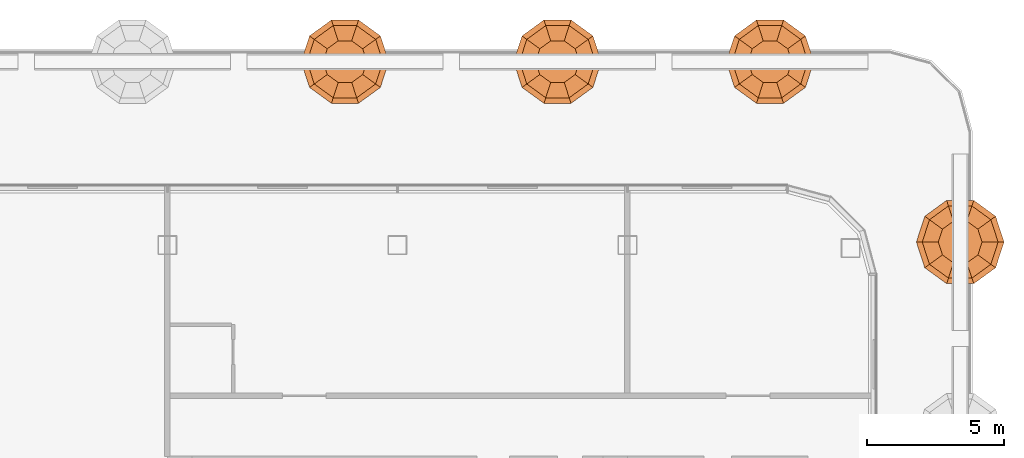
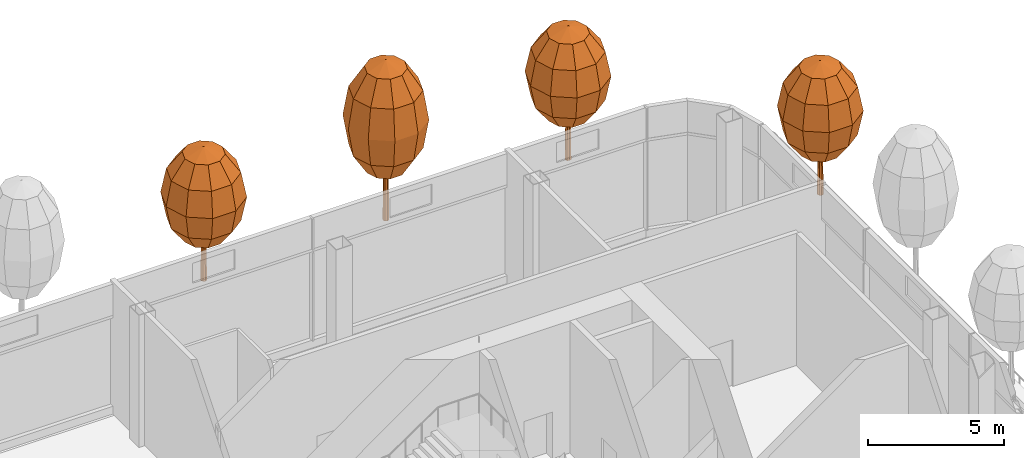
# One storey, part 43 of 43: 4 geographic elements.
"""IFC4 building model written with IfcOpenShell, lengths in metres."""

from ifc_helpers import new_model, si_unit, direction, frame, origin, place, context, subcontext, project, spatial, triangles, material, type_object, element, save


model = new_model("IFC4")

# Units and contexts
model_context = context("Model", 3, precision=1e-05, world=origin(), true_north=direction((0.0, 1.0)))
body_context = subcontext(model_context, "Body", "Model", "MODEL_VIEW")
ifc_project = project(units=[si_unit("LENGTHUNIT", "METRE"), si_unit("AREAUNIT", "SQUARE_METRE"), si_unit("VOLUMEUNIT", "CUBIC_METRE"), si_unit("PLANEANGLEUNIT", "RADIAN"), si_unit("MASSUNIT", "GRAM", prefix="KILO")], contexts=[model_context])

# Site, building, storey
site_placement = place(None, origin())
site = spatial("IfcSite", under=ifc_project, at=site_placement, CompositionType="ELEMENT")
building_placement = place(site_placement, origin())
building = spatial("IfcBuilding", under=site, at=building_placement, Name="Hakoniwa Tower and Hamabe Station Hall", CompositionType="ELEMENT")
storey_placement = place(building_placement, frame((0.0, 0.0, 124.60009765625)))
storey = spatial("IfcBuildingStorey", under=building, at=storey_placement, Name="L35", CompositionType="ELEMENT", Elevation=124.60009765625)

# Geographic elements
ifc_material_1 = material(Name="Tree foliage")
geographic_element_type_1 = type_object("IfcGeographicElementType", Name="Japanese maple 7.2 m", PredefinedType="USERDEFINED", material=ifc_material_1)
geographic_element_1_placement = place(storey_placement, frame((31.044921875, 22.801025390625, 0.89990234375)))
element("IfcGeographicElement", 1, at=geographic_element_1_placement, inside=storey, type_object=geographic_element_type_1, Name="Japanese maple 7-2 m", ObjectType="TREE", PredefinedType="USERDEFINED", context=body_context, shape_type="Tessellation", body=[
    triangles([(0.125, 0.0, 0.0), (0.08837890625, 0.08837890625, 0.0), (0.0, 0.125, 0.0), (-0.08837890625, 0.08837890625, 0.0), (-0.125, 0.0, 0.0), (-0.08837890625, -0.08837890625, 0.0), (0.0, -0.125, 0.0), (0.08837890625, -0.08837890625, 0.0), (0.074951171875, 0.0, 4.348876953125), (0.052978515625, 0.052978515625, 4.348876953125), (0.0, 0.074951171875, 4.348876953125), (-0.052978515625, 0.052978515625, 4.348876953125), (-0.074951171875, 0.0, 4.348876953125), (-0.052978515625, -0.052978515625, 4.348876953125), (0.0, -0.074951171875, 4.348876953125), (0.052978515625, -0.052978515625, 4.348876953125), (0.0, 0.0, 0.0), (0.0, 0.0, 4.348876953125)], [[1, 2, 10], [1, 10, 9], [17, 2, 1], [18, 9, 10], [2, 3, 11], [2, 11, 10], [17, 3, 2], [18, 10, 11], [3, 4, 12], [3, 12, 11], [17, 4, 3], [18, 11, 12], [4, 5, 13], [4, 13, 12], [17, 5, 4], [18, 12, 13], [5, 6, 14], [5, 14, 13], [17, 6, 5], [18, 13, 14], [6, 7, 15], [6, 15, 14], [17, 7, 6], [18, 14, 15], [7, 8, 16], [7, 16, 15], [17, 8, 7], [18, 15, 16], [8, 1, 9], [8, 9, 16], [17, 1, 8], [18, 16, 9]], closed=True),
    triangles([(0.0, 0.0, 2.015869140625), (0.800048828125, 0.0, 2.36328125), (0.647216796875, 0.47021484375, 2.36328125), (0.247314453125, 0.7607421875, 2.36328125), (-0.247314453125, 0.7607421875, 2.36328125), (-0.647216796875, 0.47021484375, 2.36328125), (-0.800048828125, 0.0, 2.36328125), (-0.647216796875, -0.47021484375, 2.36328125), (-0.247314453125, -0.7607421875, 2.36328125), (0.247314453125, -0.7607421875, 2.36328125), (0.647216796875, -0.47021484375, 2.36328125), (1.385498046875, 0.0, 3.31201171875), (1.12109375, 0.814453125, 3.31201171875), (0.42822265625, 1.31787109375, 3.31201171875), (-0.42822265625, 1.31787109375, 3.31201171875), (-1.12109375, 0.814453125, 3.31201171875), (-1.385498046875, 0.0, 3.31201171875), (-1.12109375, -0.814453125, 3.31201171875), (-0.42822265625, -1.31787109375, 3.31201171875), (0.42822265625, -1.31787109375, 3.31201171875), (1.12109375, -0.814453125, 3.31201171875), (1.60009765625, 0.0, 4.60791015625), (1.29443359375, 0.9404296875, 4.60791015625), (0.494384765625, 1.521728515625, 4.60791015625), (-0.494384765625, 1.521728515625, 4.60791015625), (-1.29443359375, 0.9404296875, 4.60791015625), (-1.60009765625, 0.0, 4.60791015625), (-1.29443359375, -0.9404296875, 4.60791015625), (-0.494384765625, -1.521728515625, 4.60791015625), (0.494384765625, -1.521728515625, 4.60791015625), (1.29443359375, -0.9404296875, 4.60791015625), (1.385498046875, 0.0, 5.904052734375), (1.12109375, 0.814453125, 5.904052734375), (0.42822265625, 1.31787109375, 5.904052734375), (-0.42822265625, 1.31787109375, 5.904052734375), (-1.12109375, 0.814453125, 5.904052734375), (-1.385498046875, 0.0, 5.904052734375), (-1.12109375, -0.814453125, 5.904052734375), (-0.42822265625, -1.31787109375, 5.904052734375), (0.42822265625, -1.31787109375, 5.904052734375), (1.12109375, -0.814453125, 5.904052734375), (0.800048828125, 0.0, 6.852783203125), (0.647216796875, 0.47021484375, 6.852783203125), (0.247314453125, 0.7607421875, 6.852783203125), (-0.247314453125, 0.7607421875, 6.852783203125), (-0.647216796875, 0.47021484375, 6.852783203125), (-0.800048828125, 0.0, 6.852783203125), (-0.647216796875, -0.47021484375, 6.852783203125), (-0.247314453125, -0.7607421875, 6.852783203125), (0.247314453125, -0.7607421875, 6.852783203125), (0.647216796875, -0.47021484375, 6.852783203125), (0.0, 0.0, 7.199951171875)], [[1, 3, 2], [1, 4, 3], [1, 5, 4], [1, 6, 5], [1, 7, 6], [1, 8, 7], [1, 9, 8], [1, 10, 9], [1, 11, 10], [1, 2, 11], [2, 3, 13], [2, 13, 12], [3, 4, 14], [3, 14, 13], [4, 5, 15], [4, 15, 14], [5, 6, 16], [5, 16, 15], [6, 7, 17], [6, 17, 16], [7, 8, 18], [7, 18, 17], [8, 9, 19], [8, 19, 18], [9, 10, 20], [9, 20, 19], [10, 11, 21], [10, 21, 20], [11, 2, 12], [11, 12, 21], [12, 13, 23], [12, 23, 22], [13, 14, 24], [13, 24, 23], [14, 15, 25], [14, 25, 24], [15, 16, 26], [15, 26, 25], [16, 17, 27], [16, 27, 26], [17, 18, 28], [17, 28, 27], [18, 19, 29], [18, 29, 28], [19, 20, 30], [19, 30, 29], [20, 21, 31], [20, 31, 30], [21, 12, 22], [21, 22, 31], [22, 23, 33], [22, 33, 32], [23, 24, 34], [23, 34, 33], [24, 25, 35], [24, 35, 34], [25, 26, 36], [25, 36, 35], [26, 27, 37], [26, 37, 36], [27, 28, 38], [27, 38, 37], [28, 29, 39], [28, 39, 38], [29, 30, 40], [29, 40, 39], [30, 31, 41], [30, 41, 40], [31, 22, 32], [31, 32, 41], [32, 33, 43], [32, 43, 42], [33, 34, 44], [33, 44, 43], [34, 35, 45], [34, 45, 44], [35, 36, 46], [35, 46, 45], [36, 37, 47], [36, 47, 46], [37, 38, 48], [37, 48, 47], [38, 39, 49], [38, 49, 48], [39, 40, 50], [39, 50, 49], [40, 41, 51], [40, 51, 50], [41, 32, 42], [41, 42, 51], [52, 42, 43], [52, 43, 44], [52, 44, 45], [52, 45, 46], [52, 46, 47], [52, 47, 48], [52, 48, 49], [52, 49, 50], [52, 50, 51], [52, 51, 42]], closed=True),
])
ifc_material_2 = material(Name="Tree foliage")
geographic_element_type_2 = type_object("IfcGeographicElementType", Name="Osmanthus 6.0 m", PredefinedType="USERDEFINED", material=ifc_material_2)
geographic_element_2_placement = place(storey_placement, frame((45.7509765625, 16.21435546875, 0.89990234375)))
element("IfcGeographicElement", 2, at=geographic_element_2_placement, inside=storey, type_object=geographic_element_type_2, Name="Osmanthus 6-0 m", ObjectType="TREE", PredefinedType="USERDEFINED", context=body_context, shape_type="Tessellation", body=[
    triangles([(0.125, 0.0, 0.0), (0.08837890625, 0.08837890625, 0.0), (0.0, 0.125, 0.0), (-0.08837890625, 0.08837890625, 0.0), (-0.125, 0.0, 0.0), (-0.08837890625, -0.08837890625, 0.0), (0.0, -0.125, 0.0), (0.08837890625, -0.08837890625, 0.0), (0.074951171875, 0.0, 3.6240234375), (0.052978515625, 0.052978515625, 3.6240234375), (0.0, 0.074951171875, 3.6240234375), (-0.052978515625, 0.052978515625, 3.6240234375), (-0.074951171875, 0.0, 3.6240234375), (-0.052978515625, -0.052978515625, 3.6240234375), (0.0, -0.074951171875, 3.6240234375), (0.052978515625, -0.052978515625, 3.6240234375), (0.0, 0.0, 0.0), (0.0, 0.0, 3.6240234375)], [[1, 2, 10], [1, 10, 9], [17, 2, 1], [18, 9, 10], [2, 3, 11], [2, 11, 10], [17, 3, 2], [18, 10, 11], [3, 4, 12], [3, 12, 11], [17, 4, 3], [18, 11, 12], [4, 5, 13], [4, 13, 12], [17, 5, 4], [18, 12, 13], [5, 6, 14], [5, 14, 13], [17, 6, 5], [18, 13, 14], [6, 7, 15], [6, 15, 14], [17, 7, 6], [18, 14, 15], [7, 8, 16], [7, 16, 15], [17, 8, 7], [18, 15, 16], [8, 1, 9], [8, 9, 16], [17, 1, 8], [18, 16, 9]], closed=True),
    triangles([(0.0, 0.0, 1.679931640625), (0.800048828125, 0.0, 1.969482421875), (0.647216796875, 0.47021484375, 1.969482421875), (0.247314453125, 0.7607421875, 1.969482421875), (-0.247314453125, 0.7607421875, 1.969482421875), (-0.647216796875, 0.47021484375, 1.969482421875), (-0.800048828125, 0.0, 1.969482421875), (-0.647216796875, -0.47021484375, 1.969482421875), (-0.247314453125, -0.7607421875, 1.969482421875), (0.247314453125, -0.7607421875, 1.969482421875), (0.647216796875, -0.47021484375, 1.969482421875), (1.385498046875, 0.0, 2.760009765625), (1.12109375, 0.814453125, 2.760009765625), (0.42822265625, 1.31787109375, 2.760009765625), (-0.42822265625, 1.31787109375, 2.760009765625), (-1.12109375, 0.814453125, 2.760009765625), (-1.385498046875, 0.0, 2.760009765625), (-1.12109375, -0.814453125, 2.760009765625), (-0.42822265625, -1.31787109375, 2.760009765625), (0.42822265625, -1.31787109375, 2.760009765625), (1.12109375, -0.814453125, 2.760009765625), (1.60009765625, 0.0, 3.840087890625), (1.29443359375, 0.9404296875, 3.840087890625), (0.494384765625, 1.521728515625, 3.840087890625), (-0.494384765625, 1.521728515625, 3.840087890625), (-1.29443359375, 0.9404296875, 3.840087890625), (-1.60009765625, 0.0, 3.840087890625), (-1.29443359375, -0.9404296875, 3.840087890625), (-0.494384765625, -1.521728515625, 3.840087890625), (0.494384765625, -1.521728515625, 3.840087890625), (1.29443359375, -0.9404296875, 3.840087890625), (1.385498046875, 0.0, 4.919921875), (1.12109375, 0.814453125, 4.919921875), (0.42822265625, 1.31787109375, 4.919921875), (-0.42822265625, 1.31787109375, 4.919921875), (-1.12109375, 0.814453125, 4.919921875), (-1.385498046875, 0.0, 4.919921875), (-1.12109375, -0.814453125, 4.919921875), (-0.42822265625, -1.31787109375, 4.919921875), (0.42822265625, -1.31787109375, 4.919921875), (1.12109375, -0.814453125, 4.919921875), (0.800048828125, 0.0, 5.710693359375), (0.647216796875, 0.47021484375, 5.710693359375), (0.247314453125, 0.7607421875, 5.710693359375), (-0.247314453125, 0.7607421875, 5.710693359375), (-0.647216796875, 0.47021484375, 5.710693359375), (-0.800048828125, 0.0, 5.710693359375), (-0.647216796875, -0.47021484375, 5.710693359375), (-0.247314453125, -0.7607421875, 5.710693359375), (0.247314453125, -0.7607421875, 5.710693359375), (0.647216796875, -0.47021484375, 5.710693359375), (0.0, 0.0, 6.0)], [[1, 3, 2], [1, 4, 3], [1, 5, 4], [1, 6, 5], [1, 7, 6], [1, 8, 7], [1, 9, 8], [1, 10, 9], [1, 11, 10], [1, 2, 11], [2, 3, 13], [2, 13, 12], [3, 4, 14], [3, 14, 13], [4, 5, 15], [4, 15, 14], [5, 6, 16], [5, 16, 15], [6, 7, 17], [6, 17, 16], [7, 8, 18], [7, 18, 17], [8, 9, 19], [8, 19, 18], [9, 10, 20], [9, 20, 19], [10, 11, 21], [10, 21, 20], [11, 2, 12], [11, 12, 21], [12, 13, 23], [12, 23, 22], [13, 14, 24], [13, 24, 23], [14, 15, 25], [14, 25, 24], [15, 16, 26], [15, 26, 25], [16, 17, 27], [16, 27, 26], [17, 18, 28], [17, 28, 27], [18, 19, 29], [18, 29, 28], [19, 20, 30], [19, 30, 29], [20, 21, 31], [20, 31, 30], [21, 12, 22], [21, 22, 31], [22, 23, 33], [22, 33, 32], [23, 24, 34], [23, 34, 33], [24, 25, 35], [24, 35, 34], [25, 26, 36], [25, 36, 35], [26, 27, 37], [26, 37, 36], [27, 28, 38], [27, 38, 37], [28, 29, 39], [28, 39, 38], [29, 30, 40], [29, 40, 39], [30, 31, 41], [30, 41, 40], [31, 22, 32], [31, 32, 41], [32, 33, 43], [32, 43, 42], [33, 34, 44], [33, 44, 43], [34, 35, 45], [34, 45, 44], [35, 36, 46], [35, 46, 45], [36, 37, 47], [36, 47, 46], [37, 38, 48], [37, 48, 47], [38, 39, 49], [38, 49, 48], [39, 40, 50], [39, 50, 49], [40, 41, 51], [40, 51, 50], [41, 32, 42], [41, 42, 51], [52, 42, 43], [52, 43, 44], [52, 44, 45], [52, 45, 46], [52, 46, 47], [52, 47, 48], [52, 48, 49], [52, 49, 50], [52, 50, 51], [52, 51, 42]], closed=True),
])
geographic_element_3_placement = place(storey_placement, frame((38.80615234375, 22.801025390625, 0.89990234375)))
element("IfcGeographicElement", 3, at=geographic_element_3_placement, inside=storey, type_object=geographic_element_type_2, Name="Osmanthus 6-0 m", ObjectType="TREE", PredefinedType="USERDEFINED", context=body_context, shape_type="Tessellation", body=[
    triangles([(0.125, 0.0, 0.0), (0.08837890625, 0.08837890625, 0.0), (0.0, 0.125, 0.0), (-0.08837890625, 0.08837890625, 0.0), (-0.125, 0.0, 0.0), (-0.08837890625, -0.08837890625, 0.0), (0.0, -0.125, 0.0), (0.08837890625, -0.08837890625, 0.0), (0.074951171875, 0.0, 3.6240234375), (0.052978515625, 0.052978515625, 3.6240234375), (0.0, 0.074951171875, 3.6240234375), (-0.052978515625, 0.052978515625, 3.6240234375), (-0.074951171875, 0.0, 3.6240234375), (-0.052978515625, -0.052978515625, 3.6240234375), (0.0, -0.074951171875, 3.6240234375), (0.052978515625, -0.052978515625, 3.6240234375), (0.0, 0.0, 0.0), (0.0, 0.0, 3.6240234375)], [[1, 2, 10], [1, 10, 9], [17, 2, 1], [18, 9, 10], [2, 3, 11], [2, 11, 10], [17, 3, 2], [18, 10, 11], [3, 4, 12], [3, 12, 11], [17, 4, 3], [18, 11, 12], [4, 5, 13], [4, 13, 12], [17, 5, 4], [18, 12, 13], [5, 6, 14], [5, 14, 13], [17, 6, 5], [18, 13, 14], [6, 7, 15], [6, 15, 14], [17, 7, 6], [18, 14, 15], [7, 8, 16], [7, 16, 15], [17, 8, 7], [18, 15, 16], [8, 1, 9], [8, 9, 16], [17, 1, 8], [18, 16, 9]], closed=True),
    triangles([(0.0, 0.0, 1.679931640625), (0.800048828125, 0.0, 1.969482421875), (0.647216796875, 0.47021484375, 1.969482421875), (0.247314453125, 0.7607421875, 1.969482421875), (-0.247314453125, 0.7607421875, 1.969482421875), (-0.647216796875, 0.47021484375, 1.969482421875), (-0.800048828125, 0.0, 1.969482421875), (-0.647216796875, -0.47021484375, 1.969482421875), (-0.247314453125, -0.7607421875, 1.969482421875), (0.247314453125, -0.7607421875, 1.969482421875), (0.647216796875, -0.47021484375, 1.969482421875), (1.385498046875, 0.0, 2.760009765625), (1.12109375, 0.814453125, 2.760009765625), (0.42822265625, 1.31787109375, 2.760009765625), (-0.42822265625, 1.31787109375, 2.760009765625), (-1.12109375, 0.814453125, 2.760009765625), (-1.385498046875, 0.0, 2.760009765625), (-1.12109375, -0.814453125, 2.760009765625), (-0.42822265625, -1.31787109375, 2.760009765625), (0.42822265625, -1.31787109375, 2.760009765625), (1.12109375, -0.814453125, 2.760009765625), (1.60009765625, 0.0, 3.840087890625), (1.29443359375, 0.9404296875, 3.840087890625), (0.494384765625, 1.521728515625, 3.840087890625), (-0.494384765625, 1.521728515625, 3.840087890625), (-1.29443359375, 0.9404296875, 3.840087890625), (-1.60009765625, 0.0, 3.840087890625), (-1.29443359375, -0.9404296875, 3.840087890625), (-0.494384765625, -1.521728515625, 3.840087890625), (0.494384765625, -1.521728515625, 3.840087890625), (1.29443359375, -0.9404296875, 3.840087890625), (1.385498046875, 0.0, 4.919921875), (1.12109375, 0.814453125, 4.919921875), (0.42822265625, 1.31787109375, 4.919921875), (-0.42822265625, 1.31787109375, 4.919921875), (-1.12109375, 0.814453125, 4.919921875), (-1.385498046875, 0.0, 4.919921875), (-1.12109375, -0.814453125, 4.919921875), (-0.42822265625, -1.31787109375, 4.919921875), (0.42822265625, -1.31787109375, 4.919921875), (1.12109375, -0.814453125, 4.919921875), (0.800048828125, 0.0, 5.710693359375), (0.647216796875, 0.47021484375, 5.710693359375), (0.247314453125, 0.7607421875, 5.710693359375), (-0.247314453125, 0.7607421875, 5.710693359375), (-0.647216796875, 0.47021484375, 5.710693359375), (-0.800048828125, 0.0, 5.710693359375), (-0.647216796875, -0.47021484375, 5.710693359375), (-0.247314453125, -0.7607421875, 5.710693359375), (0.247314453125, -0.7607421875, 5.710693359375), (0.647216796875, -0.47021484375, 5.710693359375), (0.0, 0.0, 6.0)], [[1, 3, 2], [1, 4, 3], [1, 5, 4], [1, 6, 5], [1, 7, 6], [1, 8, 7], [1, 9, 8], [1, 10, 9], [1, 11, 10], [1, 2, 11], [2, 3, 13], [2, 13, 12], [3, 4, 14], [3, 14, 13], [4, 5, 15], [4, 15, 14], [5, 6, 16], [5, 16, 15], [6, 7, 17], [6, 17, 16], [7, 8, 18], [7, 18, 17], [8, 9, 19], [8, 19, 18], [9, 10, 20], [9, 20, 19], [10, 11, 21], [10, 21, 20], [11, 2, 12], [11, 12, 21], [12, 13, 23], [12, 23, 22], [13, 14, 24], [13, 24, 23], [14, 15, 25], [14, 25, 24], [15, 16, 26], [15, 26, 25], [16, 17, 27], [16, 27, 26], [17, 18, 28], [17, 28, 27], [18, 19, 29], [18, 29, 28], [19, 20, 30], [19, 30, 29], [20, 21, 31], [20, 31, 30], [21, 12, 22], [21, 22, 31], [22, 23, 33], [22, 33, 32], [23, 24, 34], [23, 34, 33], [24, 25, 35], [24, 35, 34], [25, 26, 36], [25, 36, 35], [26, 27, 37], [26, 37, 36], [27, 28, 38], [27, 38, 37], [28, 29, 39], [28, 39, 38], [29, 30, 40], [29, 40, 39], [30, 31, 41], [30, 41, 40], [31, 22, 32], [31, 32, 41], [32, 33, 43], [32, 43, 42], [33, 34, 44], [33, 44, 43], [34, 35, 45], [34, 45, 44], [35, 36, 46], [35, 46, 45], [36, 37, 47], [36, 47, 46], [37, 38, 48], [37, 48, 47], [38, 39, 49], [38, 49, 48], [39, 40, 50], [39, 50, 49], [40, 41, 51], [40, 51, 50], [41, 32, 42], [41, 42, 51], [52, 42, 43], [52, 43, 44], [52, 44, 45], [52, 45, 46], [52, 46, 47], [52, 47, 48], [52, 48, 49], [52, 49, 50], [52, 50, 51], [52, 51, 42]], closed=True),
])
geographic_element_4_placement = place(storey_placement, frame((23.28369140625, 22.801025390625, 0.89990234375)))
element("IfcGeographicElement", 4, at=geographic_element_4_placement, inside=storey, type_object=geographic_element_type_2, Name="Osmanthus 6-0 m", ObjectType="TREE", PredefinedType="USERDEFINED", context=body_context, shape_type="Tessellation", body=[
    triangles([(0.125, 0.0, 0.0), (0.08837890625, 0.08837890625, 0.0), (0.0, 0.125, 0.0), (-0.08837890625, 0.08837890625, 0.0), (-0.125, 0.0, 0.0), (-0.08837890625, -0.08837890625, 0.0), (0.0, -0.125, 0.0), (0.08837890625, -0.08837890625, 0.0), (0.074951171875, 0.0, 3.6240234375), (0.052978515625, 0.052978515625, 3.6240234375), (0.0, 0.074951171875, 3.6240234375), (-0.052978515625, 0.052978515625, 3.6240234375), (-0.074951171875, 0.0, 3.6240234375), (-0.052978515625, -0.052978515625, 3.6240234375), (0.0, -0.074951171875, 3.6240234375), (0.052978515625, -0.052978515625, 3.6240234375), (0.0, 0.0, 0.0), (0.0, 0.0, 3.6240234375)], [[1, 2, 10], [1, 10, 9], [17, 2, 1], [18, 9, 10], [2, 3, 11], [2, 11, 10], [17, 3, 2], [18, 10, 11], [3, 4, 12], [3, 12, 11], [17, 4, 3], [18, 11, 12], [4, 5, 13], [4, 13, 12], [17, 5, 4], [18, 12, 13], [5, 6, 14], [5, 14, 13], [17, 6, 5], [18, 13, 14], [6, 7, 15], [6, 15, 14], [17, 7, 6], [18, 14, 15], [7, 8, 16], [7, 16, 15], [17, 8, 7], [18, 15, 16], [8, 1, 9], [8, 9, 16], [17, 1, 8], [18, 16, 9]], closed=True),
    triangles([(0.0, 0.0, 1.679931640625), (0.800048828125, 0.0, 1.969482421875), (0.647216796875, 0.47021484375, 1.969482421875), (0.247314453125, 0.7607421875, 1.969482421875), (-0.247314453125, 0.7607421875, 1.969482421875), (-0.647216796875, 0.47021484375, 1.969482421875), (-0.800048828125, 0.0, 1.969482421875), (-0.647216796875, -0.47021484375, 1.969482421875), (-0.247314453125, -0.7607421875, 1.969482421875), (0.247314453125, -0.7607421875, 1.969482421875), (0.647216796875, -0.47021484375, 1.969482421875), (1.385498046875, 0.0, 2.760009765625), (1.12109375, 0.814453125, 2.760009765625), (0.42822265625, 1.31787109375, 2.760009765625), (-0.42822265625, 1.31787109375, 2.760009765625), (-1.12109375, 0.814453125, 2.760009765625), (-1.385498046875, 0.0, 2.760009765625), (-1.12109375, -0.814453125, 2.760009765625), (-0.42822265625, -1.31787109375, 2.760009765625), (0.42822265625, -1.31787109375, 2.760009765625), (1.12109375, -0.814453125, 2.760009765625), (1.60009765625, 0.0, 3.840087890625), (1.29443359375, 0.9404296875, 3.840087890625), (0.494384765625, 1.521728515625, 3.840087890625), (-0.494384765625, 1.521728515625, 3.840087890625), (-1.29443359375, 0.9404296875, 3.840087890625), (-1.60009765625, 0.0, 3.840087890625), (-1.29443359375, -0.9404296875, 3.840087890625), (-0.494384765625, -1.521728515625, 3.840087890625), (0.494384765625, -1.521728515625, 3.840087890625), (1.29443359375, -0.9404296875, 3.840087890625), (1.385498046875, 0.0, 4.919921875), (1.12109375, 0.814453125, 4.919921875), (0.42822265625, 1.31787109375, 4.919921875), (-0.42822265625, 1.31787109375, 4.919921875), (-1.12109375, 0.814453125, 4.919921875), (-1.385498046875, 0.0, 4.919921875), (-1.12109375, -0.814453125, 4.919921875), (-0.42822265625, -1.31787109375, 4.919921875), (0.42822265625, -1.31787109375, 4.919921875), (1.12109375, -0.814453125, 4.919921875), (0.800048828125, 0.0, 5.710693359375), (0.647216796875, 0.47021484375, 5.710693359375), (0.247314453125, 0.7607421875, 5.710693359375), (-0.247314453125, 0.7607421875, 5.710693359375), (-0.647216796875, 0.47021484375, 5.710693359375), (-0.800048828125, 0.0, 5.710693359375), (-0.647216796875, -0.47021484375, 5.710693359375), (-0.247314453125, -0.7607421875, 5.710693359375), (0.247314453125, -0.7607421875, 5.710693359375), (0.647216796875, -0.47021484375, 5.710693359375), (0.0, 0.0, 6.0)], [[1, 3, 2], [1, 4, 3], [1, 5, 4], [1, 6, 5], [1, 7, 6], [1, 8, 7], [1, 9, 8], [1, 10, 9], [1, 11, 10], [1, 2, 11], [2, 3, 13], [2, 13, 12], [3, 4, 14], [3, 14, 13], [4, 5, 15], [4, 15, 14], [5, 6, 16], [5, 16, 15], [6, 7, 17], [6, 17, 16], [7, 8, 18], [7, 18, 17], [8, 9, 19], [8, 19, 18], [9, 10, 20], [9, 20, 19], [10, 11, 21], [10, 21, 20], [11, 2, 12], [11, 12, 21], [12, 13, 23], [12, 23, 22], [13, 14, 24], [13, 24, 23], [14, 15, 25], [14, 25, 24], [15, 16, 26], [15, 26, 25], [16, 17, 27], [16, 27, 26], [17, 18, 28], [17, 28, 27], [18, 19, 29], [18, 29, 28], [19, 20, 30], [19, 30, 29], [20, 21, 31], [20, 31, 30], [21, 12, 22], [21, 22, 31], [22, 23, 33], [22, 33, 32], [23, 24, 34], [23, 34, 33], [24, 25, 35], [24, 35, 34], [25, 26, 36], [25, 36, 35], [26, 27, 37], [26, 37, 36], [27, 28, 38], [27, 38, 37], [28, 29, 39], [28, 39, 38], [29, 30, 40], [29, 40, 39], [30, 31, 41], [30, 41, 40], [31, 22, 32], [31, 32, 41], [32, 33, 43], [32, 43, 42], [33, 34, 44], [33, 44, 43], [34, 35, 45], [34, 45, 44], [35, 36, 46], [35, 46, 45], [36, 37, 47], [36, 47, 46], [37, 38, 48], [37, 48, 47], [38, 39, 49], [38, 49, 48], [39, 40, 50], [39, 50, 49], [40, 41, 51], [40, 51, 50], [41, 32, 42], [41, 42, 51], [52, 42, 43], [52, 43, 44], [52, 44, 45], [52, 45, 46], [52, 46, 47], [52, 47, 48], [52, 48, 49], [52, 49, 50], [52, 50, 51], [52, 51, 42]], closed=True),
])

save(model, "model.ifc")
